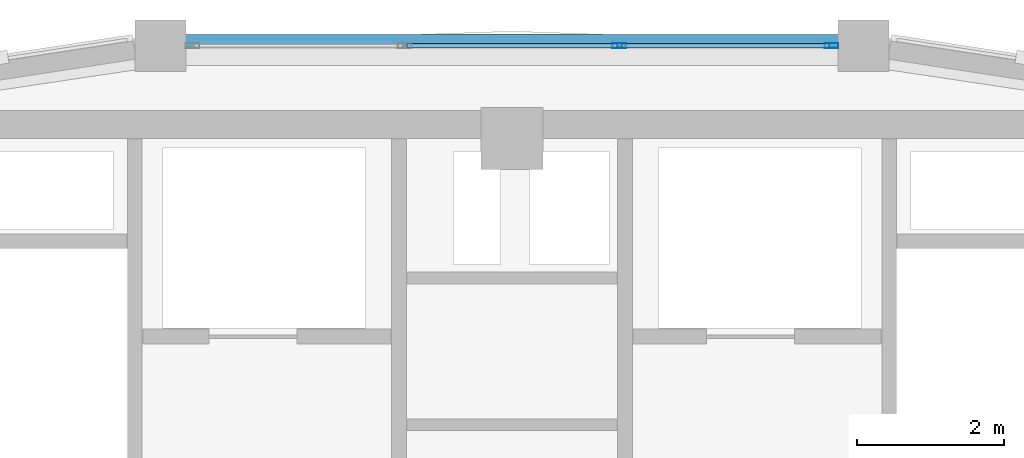
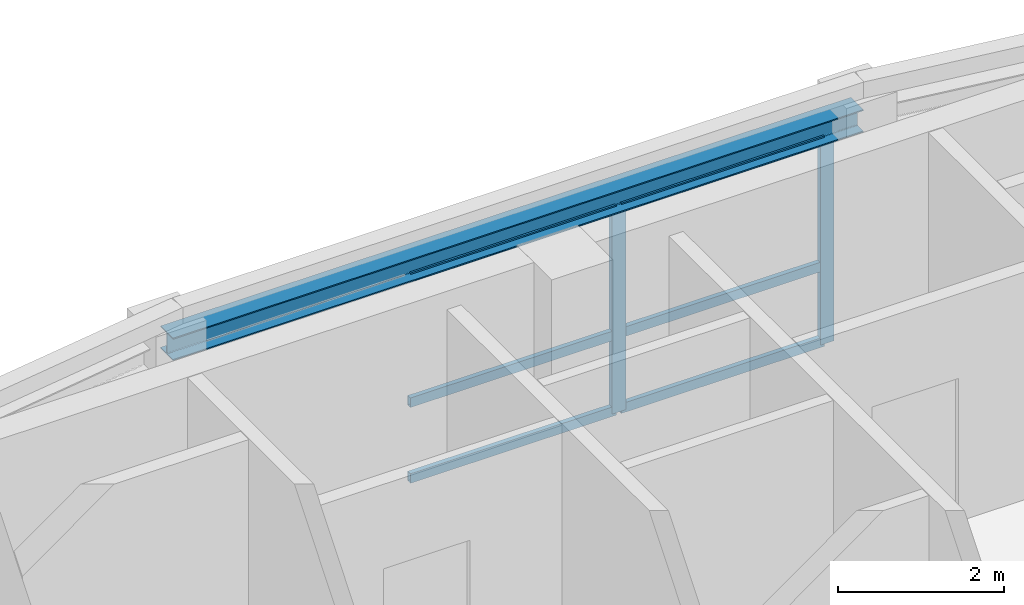
# One storey, part 9 of 13: 8 members, 1 beam, 1 element without a shape of its own.
"""IFC4 building model written with IfcOpenShell, lengths in metres."""

from ifc_helpers import new_model, si_unit, derived_unit, direction, frame, origin, origin_2d, place, context, subcontext, project, spatial, hollow_rectangle, i_section, extrude, source, transform, mapped, material, layer, layer_set, material_profile, profile_set, type_object, element, aggregate, save


model = new_model("IFC4")

# Units and contexts
model_context = context("Model", 3, precision=1e-05, world=origin(), true_north=direction((0.0, 1.0)))
body_context = subcontext(model_context, "Body", "Model", "MODEL_VIEW")
ifc_project = project(units=[si_unit("LENGTHUNIT", "METRE"), si_unit("AREAUNIT", "SQUARE_METRE"), si_unit("VOLUMEUNIT", "CUBIC_METRE"), si_unit("PLANEANGLEUNIT", "RADIAN"), si_unit("MASSUNIT", "GRAM", prefix="KILO"), derived_unit("THERMALTRANSMITTANCEUNIT", [(si_unit("POWERUNIT", "WATT"), 1), (si_unit("LENGTHUNIT", "METRE"), -2), (si_unit("THERMODYNAMICTEMPERATUREUNIT", "KELVIN"), -1)])], contexts=[model_context])

# Site, building, storey
site_placement = place(None, origin())
site = spatial("IfcSite", under=ifc_project, at=site_placement, CompositionType="ELEMENT")
building_placement = place(site_placement, origin())
building = spatial("IfcBuilding", under=site, at=building_placement, Name="Korsvarv Bourse and Concert Hall", CompositionType="ELEMENT")
storey_placement = place(building_placement, frame((0.0, 0.0, 296.10009765625)))
storey = spatial("IfcBuildingStorey", under=building, at=storey_placement, Name="L77", CompositionType="ELEMENT", Elevation=296.10009765625)

# Beam
ifc_material_1 = material(Name="Steel S355", Category="steel")
ifc_material_profile_1 = material_profile(ifc_material_1, i_section(OverallWidth=0.300048828125, OverallDepth=0.330078125, WebThickness=0.009521484375, FlangeThickness=0.0166015625, FilletRadius=0.02099609375, at=origin_2d()), Name="HEA 340")
ifc_profile_set_1 = profile_set([ifc_material_profile_1], Name="Steel S355")
beam_type = type_object("IfcBeamType", Name="BM-HEA340", PredefinedType="BEAM", material=ifc_profile_set_1)
shared_shape_1 = source(origin(), body_context, "Body", "SweptSolid", [
    extrude(i_section(OverallWidth=0.300048828125, OverallDepth=0.330078125, WebThickness=0.009521484375, FlangeThickness=0.0166015625, FilletRadius=0.02099609375, at=origin_2d()), origin(), (0.0, 0.0, 1.0), 9.57958984375),
])
beam_placement = place(storey_placement, frame((40.789794921875, 48.06494140625, 3.1748046875), z_axis=(-1.0, 0.0, 0.0), x_axis=(0.0, -1.0, 0.0)))
element("IfcBeam", 1, at=beam_placement, inside=storey, type_object=beam_type, Name="L77 beam B-12", PredefinedType="BEAM", context=body_context, shape_type="MappedRepresentation", body=[
    mapped(shared_shape_1, transform((0.0, 0.0, 0.0), scale=1.0)),
])

# Curtain wall, members
ifc_material_2 = material(Name="Anodised aluminium and triple low-E glazing", Category="glass")
ifc_layer = layer(ifc_material_2, 0.22998046875)
ifc_layer_set = layer_set([ifc_layer], Name="Anodised aluminium and triple low-E glazing")
curtain_wall_type = type_object("IfcCurtainWallType", Name="CW-SYS-6", PredefinedType="NOTDEFINED", material=ifc_layer_set)
curtain_wall_placement = place(storey_placement, origin())
curtain_wall = element("IfcCurtainWall", 2, at=curtain_wall_placement, inside=storey, type_object=curtain_wall_type, Name="L77 CW6 curtain wall CW-L77-CRN03", PredefinedType="NOTDEFINED")
ifc_material_3 = material(Name="Extruded aluminium EN AW-6063 T66", Category="aluminium")
ifc_material_profile_2 = material_profile(ifc_material_3, hollow_rectangle(XDim=0.070068359375, YDim=0.18994140625, WallThickness=0.0048828125, at=origin_2d()), Name="ALU-M 70x190")
ifc_profile_set_2 = profile_set([ifc_material_profile_2], Name="Extruded aluminium EN AW-6063 T66")
member_type_1 = type_object("IfcMemberType", Name="CWM-190", PredefinedType="MULLION", material=ifc_profile_set_2)
shared_shape_2 = source(origin(), body_context, "Body", "SweptSolid", [
    extrude(hollow_rectangle(XDim=0.070068359375, YDim=0.18994140625, WallThickness=0.0048828125, at=origin_2d()), origin(), (0.0, 0.0, 1.0), 3.010009765625),
])
member_1_placement = place(storey_placement, frame((40.354736328125, 48.06494140625, 0.0), z_axis=(0.0, 0.0, 1.0), x_axis=(0.0, -1.0, 0.0)))
member_1 = element("IfcMember", 3, at=member_1_placement, type_object=member_type_1, Name="CW6 mullion 1", PredefinedType="MULLION", context=body_context, shape_type="MappedRepresentation", body=[
    mapped(shared_shape_2, transform((0.0, 0.0, 0.0), scale=1.0)),
])
member_2_placement = place(storey_placement, frame((37.46337890625, 48.06494140625, 0.0), z_axis=(0.0, 0.0, 1.0), x_axis=(0.0, -1.0, 0.0)))
member_2 = element("IfcMember", 4, at=member_2_placement, type_object=member_type_1, Name="CW6 mullion 2", PredefinedType="MULLION", context=body_context, shape_type="MappedRepresentation", body=[
    mapped(shared_shape_2, transform((0.0, 0.0, 0.0), scale=1.0)),
])
ifc_material_profile_3 = material_profile(ifc_material_3, hollow_rectangle(XDim=0.06494140625, YDim=0.139892578125, WallThickness=0.00390625, at=origin_2d()), Name="ALU-T 65x140")
ifc_profile_set_3 = profile_set([ifc_material_profile_3], Name="Extruded aluminium EN AW-6063 T66")
member_type_2 = type_object("IfcMemberType", Name="CWT-140", PredefinedType="USERDEFINED", material=ifc_profile_set_3)
shared_shape_3 = source(origin(), body_context, "Body", "SweptSolid", [
    extrude(hollow_rectangle(XDim=0.06494140625, YDim=0.139892578125, WallThickness=0.00390625, at=origin_2d()), origin(), (0.0, 0.0, 1.0), 2.821533203125),
])
member_3_placement = place(storey_placement, frame((40.31982421875, 48.06494140625, 0.032470703125), z_axis=(-1.0, 0.0, 0.0), x_axis=(0.0, -1.0, 0.0)))
member_3 = element("IfcMember", 5, at=member_3_placement, type_object=member_type_2, Name="CW6 transom 1.1", ObjectType="TRANSOM", PredefinedType="USERDEFINED", context=body_context, shape_type="MappedRepresentation", body=[
    mapped(shared_shape_3, transform((0.0, 0.0, 0.0), scale=1.0)),
])
member_4_placement = place(storey_placement, frame((40.31982421875, 48.06494140625, 1.143798828125), z_axis=(-1.0, 0.0, 0.0), x_axis=(0.0, -1.0, 0.0)))
member_4 = element("IfcMember", 6, at=member_4_placement, type_object=member_type_2, Name="CW6 transom 1.2", ObjectType="TRANSOM", PredefinedType="USERDEFINED", context=body_context, shape_type="MappedRepresentation", body=[
    mapped(shared_shape_3, transform((0.0, 0.0, 0.0), scale=1.0)),
])
member_5_placement = place(storey_placement, frame((40.31982421875, 48.06494140625, 2.977294921875), z_axis=(-1.0, 0.0, 0.0), x_axis=(0.0, -1.0, 0.0)))
member_5 = element("IfcMember", 7, at=member_5_placement, type_object=member_type_2, Name="CW6 transom 1.3", ObjectType="TRANSOM", PredefinedType="USERDEFINED", context=body_context, shape_type="MappedRepresentation", body=[
    mapped(shared_shape_3, transform((0.0, 0.0, 0.0), scale=1.0)),
])
shared_shape_4 = source(origin(), body_context, "Body", "SweptSolid", [
    extrude(hollow_rectangle(XDim=0.06494140625, YDim=0.139892578125, WallThickness=0.00390625, at=origin_2d()), origin(), (0.0, 0.0, 1.0), 2.8564453125),
])
member_6_placement = place(storey_placement, frame((37.42822265625, 48.06494140625, 0.032470703125), z_axis=(-1.0, 0.0, 0.0), x_axis=(0.0, -1.0, 0.0)))
member_6 = element("IfcMember", 8, at=member_6_placement, type_object=member_type_2, Name="CW6 transom 2.1", ObjectType="TRANSOM", PredefinedType="USERDEFINED", context=body_context, shape_type="MappedRepresentation", body=[
    mapped(shared_shape_4, transform((0.0, 0.0, 0.0), scale=1.0)),
])
member_7_placement = place(storey_placement, frame((37.42822265625, 48.06494140625, 1.143798828125), z_axis=(-1.0, 0.0, 0.0), x_axis=(0.0, -1.0, 0.0)))
member_7 = element("IfcMember", 9, at=member_7_placement, type_object=member_type_2, Name="CW6 transom 2.2", ObjectType="TRANSOM", PredefinedType="USERDEFINED", context=body_context, shape_type="MappedRepresentation", body=[
    mapped(shared_shape_4, transform((0.0, 0.0, 0.0), scale=1.0)),
])
member_8_placement = place(storey_placement, frame((37.42822265625, 48.06494140625, 2.977294921875), z_axis=(-1.0, 0.0, 0.0), x_axis=(0.0, -1.0, 0.0)))
member_8 = element("IfcMember", 10, at=member_8_placement, type_object=member_type_2, Name="CW6 transom 2.3", ObjectType="TRANSOM", PredefinedType="USERDEFINED", context=body_context, shape_type="MappedRepresentation", body=[
    mapped(shared_shape_4, transform((0.0, 0.0, 0.0), scale=1.0)),
])
aggregate(curtain_wall, [member_1, member_2, member_3, member_4, member_5, member_6, member_7, member_8])

save(model, "model.ifc")
